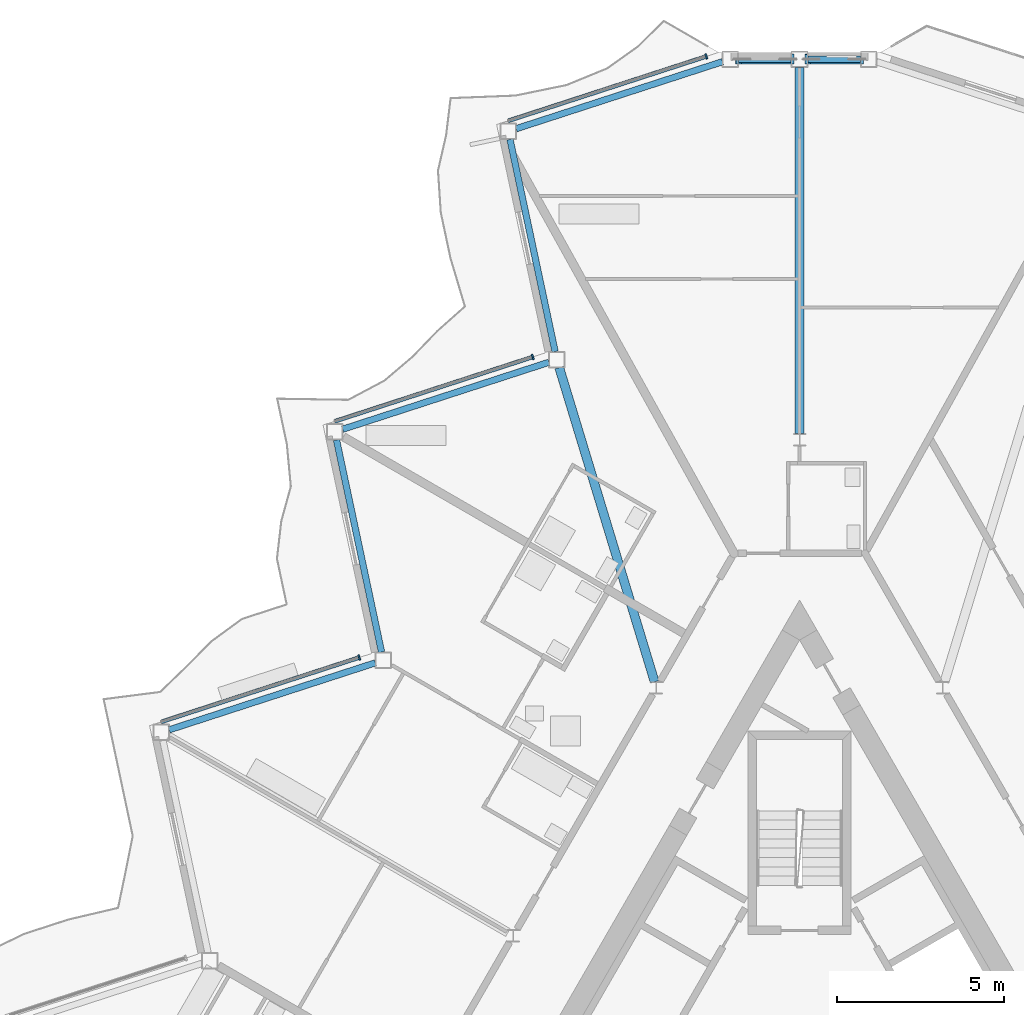
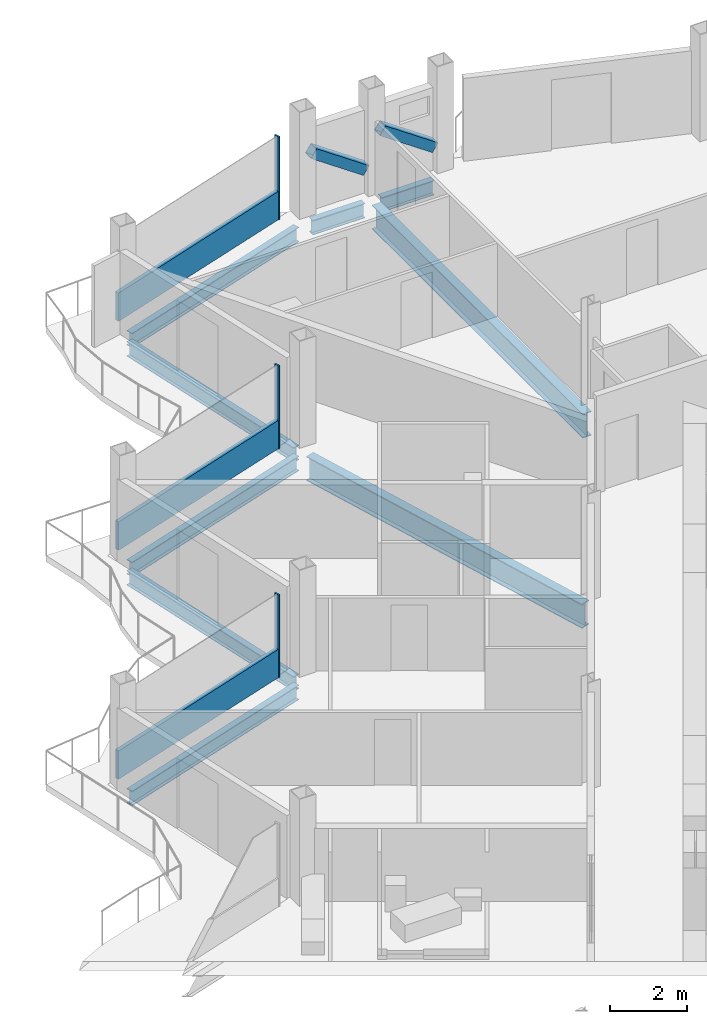
# One storey, part 9 of 26: 9 beams, 8 members, 3 elements without a shape of their own.
"""IFC4 building model written with IfcOpenShell, lengths in metres."""

from ifc_helpers import new_model, si_unit, direction, frame, origin, origin_2d, place, context, subcontext, project, spatial, rectangle, hollow_rectangle, i_section, extrude, material, layer, layer_set, material_profile, profile_set, type_object, element, aggregate, save


model = new_model("IFC4")

# Units and contexts
model_context = context("Model", 3, precision=1e-05, world=origin(), true_north=direction((0.0, 1.0)))
body_context = subcontext(model_context, "Body", "Model", "MODEL_VIEW")
ifc_project = project(units=[si_unit("LENGTHUNIT", "METRE"), si_unit("AREAUNIT", "SQUARE_METRE"), si_unit("VOLUMEUNIT", "CUBIC_METRE"), si_unit("PLANEANGLEUNIT", "RADIAN"), si_unit("MASSUNIT", "GRAM", prefix="KILO")], contexts=[model_context])

# Site, building, storey
site_placement = place(None, origin())
site = spatial("IfcSite", under=ifc_project, at=site_placement, CompositionType="ELEMENT")
building_placement = place(site_placement, origin())
building = spatial("IfcBuilding", under=site, at=building_placement, Name="Cormorant Prow Tower", CompositionType="ELEMENT")
storey_placement = place(building_placement, frame((0.0, 0.0, 381.39990234375)))
storey = spatial("IfcBuildingStorey", under=building, at=storey_placement, Name="L86", CompositionType="ELEMENT", Elevation=381.39990234375)

# Members
ifc_material_1 = material(Name="Structural steel ASTM A500 Gr C", Category="steel")
ifc_material_profile_1 = material_profile(ifc_material_1, hollow_rectangle(XDim=0.3046875, YDim=0.3046875, WallThickness=0.01171875, at=origin_2d()), Name="HSS12x12x1/2")
ifc_profile_set_1 = profile_set([ifc_material_profile_1], Name="Structural steel ASTM A500 Gr C")
member_type_1 = type_object("IfcMemberType", Name="Chamfer brace HSS12x12x1/2", PredefinedType="BRACE", material=ifc_profile_set_1)
for number, where, z_axis, x_axis, name in (
    (1, (1.8271484375, 31.219482421875, 0.770751953125), (-0.822567143358, 0.0, 0.56866800039), (0.0, -1.0, 0.0), "Chamfer brace BR3 at N00 L86"),
    (2, (-0.246826171875, 31.219482421875, 0.770751953125), (-0.822567143358, 0.0, 0.56866800039), (0.0, -1.0, 0.0), "Chamfer brace BR3 at N01 L86"),
):
    element("IfcMember", number, at=place(storey_placement, frame(where, z_axis=z_axis, x_axis=x_axis)), inside=storey, type_object=member_type_1, Name=name, PredefinedType="BRACE", context=body_context, shape_type="SweptSolid", body=[
        extrude(hollow_rectangle(XDim=0.3046875, YDim=0.3046875, WallThickness=0.01171875, at=origin_2d()), origin(), (0.0, 0.0, 1.0), 1.921142578125),
    ])

# Beams
ifc_material_2 = material(Name="Structural steel ASTM A992 Gr 50", Category="steel")
ifc_material_profile_2 = material_profile(ifc_material_2, i_section(OverallWidth=0.267822265625, OverallDepth=0.77001953125, WebThickness=0.015625, FlangeThickness=0.025390625, at=origin_2d()), Name="W30x132")
ifc_profile_set_2 = profile_set([ifc_material_profile_2], Name="Structural steel ASTM A992 Gr 50")
beam_type_1 = type_object("IfcBeamType", Name="Radial floor beam W30x132", PredefinedType="BEAM", material=ifc_profile_set_2)
beam_1_placement = place(storey_placement, frame((0.0, 19.998046875, -0.684814453125), z_axis=(0.0, 1.0, 0.0), x_axis=(-1.0, 0.0, 0.0)))
element("IfcBeam", 3, at=beam_1_placement, inside=storey, type_object=beam_type_1, Name="Radial floor beam FB3 1 L86", PredefinedType="BEAM", context=body_context, shape_type="SweptSolid", body=[
    extrude(i_section(OverallWidth=0.267822265625, OverallDepth=0.77001953125, WebThickness=0.015625, FlangeThickness=0.025390625, at=origin_2d()), origin(), (0.0, 0.0, 1.0), 10.971435546875),
])
beam_2_placement = place(storey_placement, frame((-4.343505859375, 12.560791015625, -0.684814453125), z_axis=(-0.290499864147, 0.956875033079, 0.0), x_axis=(-0.956875033079, -0.290499864147, 0.0)))
element("IfcBeam", 4, at=beam_2_placement, inside=storey, type_object=beam_type_1, Name="Radial floor beam FB3 2 L86", PredefinedType="BEAM", context=body_context, shape_type="SweptSolid", body=[
    extrude(i_section(OverallWidth=0.267822265625, OverallDepth=0.77001953125, WebThickness=0.015625, FlangeThickness=0.025390625, at=origin_2d()), origin(), (0.0, 0.0, 1.0), 9.837158203125),
])

# Curtain wall, member
ifc_material_3 = material(Name="Aluminium 6063-T6", Category="aluminium")
ifc_layer = layer(ifc_material_3, 0.159912109375)
ifc_layer_set = layer_set([ifc_layer], Name="Aluminium 6063-T6")
curtain_wall_type = type_object("IfcCurtainWallType", Name="Residential unitised curtain wall 160", PredefinedType="NOTDEFINED", material=ifc_layer_set)
curtain_wall_1_placement = place(storey_placement, origin())
curtain_wall_1 = element("IfcCurtainWall", 5, at=curtain_wall_1_placement, inside=storey, type_object=curtain_wall_type, Name="Residential curtain wall WNW00", PredefinedType="NOTDEFINED")
ifc_material_4 = material(Name="Aluminium 6063-T6", Category="aluminium")
ifc_material_profile_3 = material_profile(ifc_material_4, rectangle(XDim=0.159912109375, YDim=0.050048828125, at=origin_2d()), Name="Residential mullion 50x160")
ifc_profile_set_3 = profile_set([ifc_material_profile_3], Name="Aluminium 6063-T6")
member_type_2 = type_object("IfcMemberType", Name="Residential mullion 50x160", PredefinedType="MULLION", material=ifc_profile_set_3)
member_1_placement = place(storey_placement, frame((-2.79541015625, 31.30078125, 0.0), z_axis=(0.0, 0.0, 1.0), x_axis=(0.309017024369, -0.951056506549, 0.0)))
member_1 = element("IfcMember", 6, at=member_1_placement, type_object=member_type_2, Name="Residential mullion WNW00", PredefinedType="MULLION", context=body_context, shape_type="SweptSolid", body=[
    extrude(rectangle(XDim=0.159912109375, YDim=0.050048828125, at=origin_2d()), origin(), (0.0, 0.0, 1.0), 2.634033203125),
])

curtain_wall_2_placement = place(storey_placement, origin())
curtain_wall_2 = element("IfcCurtainWall", 7, at=curtain_wall_2_placement, inside=storey, type_object=curtain_wall_type, Name="Residential curtain wall WNW02", PredefinedType="NOTDEFINED")
member_2_placement = place(storey_placement, frame((-7.995361328125, 22.2939453125, 0.0), z_axis=(0.0, 0.0, 1.0), x_axis=(0.309017024369, -0.951056506549, 0.0)))
member_2 = element("IfcMember", 8, at=member_2_placement, type_object=member_type_2, Name="Residential mullion WNW02", PredefinedType="MULLION", context=body_context, shape_type="SweptSolid", body=[
    extrude(rectangle(XDim=0.159912109375, YDim=0.050048828125, at=origin_2d()), origin(), (0.0, 0.0, 1.0), 2.634033203125),
])

curtain_wall_3_placement = place(storey_placement, origin())
curtain_wall_3 = element("IfcCurtainWall", 9, at=curtain_wall_3_placement, inside=storey, type_object=curtain_wall_type, Name="Residential curtain wall WNW04", PredefinedType="NOTDEFINED")
member_3_placement = place(storey_placement, frame((-13.195556640625, 13.287353515625, 0.0), z_axis=(0.0, 0.0, 1.0), x_axis=(0.309016895096, -0.951056548553, 0.0)))
member_3 = element("IfcMember", 10, at=member_3_placement, type_object=member_type_2, Name="Residential mullion WNW04", PredefinedType="MULLION", context=body_context, shape_type="SweptSolid", body=[
    extrude(rectangle(XDim=0.159912109375, YDim=0.050048828125, at=origin_2d()), origin(), (0.0, 0.0, 1.0), 2.634033203125),
])

# Member
ifc_material_5 = material(Name="Terracotta", Category="masonry")
ifc_material_profile_4 = material_profile(ifc_material_5, rectangle(XDim=0.1201171875, YDim=0.89990234375, at=origin_2d()), Name="Residential terracotta spandrel rail 120x900")
ifc_profile_set_4 = profile_set([ifc_material_profile_4], Name="Terracotta")
member_type_3 = type_object("IfcMemberType", Name="Residential terracotta spandrel rail 120x900", PredefinedType="USERDEFINED", material=ifc_profile_set_4)
member_4_placement = place(storey_placement, frame((-2.8193359375, 31.29296875, 0.4501953125), z_axis=(-0.951056004715, -0.309018568854, 0.0), x_axis=(0.309018568854, -0.951056004715, 0.0)))
member_4 = element("IfcMember", 11, at=member_4_placement, type_object=member_type_3, Name="Residential spandrel rail WNW00", ObjectType="TRANSOM", PredefinedType="USERDEFINED", context=body_context, shape_type="SweptSolid", body=[
    extrude(rectangle(XDim=0.1201171875, YDim=0.89990234375, at=origin_2d()), origin(), (0.0, 0.0, 1.0), 6.21533203125),
])

aggregate(curtain_wall_1, [member_1, member_4])

member_5_placement = place(storey_placement, frame((-8.019287109375, 22.286376953125, 0.4501953125), z_axis=(-0.951056004715, -0.309018568854, 0.0), x_axis=(0.309018568854, -0.951056004715, 0.0)))
member_5 = element("IfcMember", 12, at=member_5_placement, type_object=member_type_3, Name="Residential spandrel rail WNW02", ObjectType="TRANSOM", PredefinedType="USERDEFINED", context=body_context, shape_type="SweptSolid", body=[
    extrude(rectangle(XDim=0.1201171875, YDim=0.89990234375, at=origin_2d()), origin(), (0.0, 0.0, 1.0), 6.21533203125),
])

aggregate(curtain_wall_2, [member_2, member_5])

member_6_placement = place(storey_placement, frame((-13.21923828125, 13.279541015625, 0.4501953125), z_axis=(-0.951056004715, -0.309018568854, 0.0), x_axis=(0.309018568854, -0.951056004715, 0.0)))
member_6 = element("IfcMember", 13, at=member_6_placement, type_object=member_type_3, Name="Residential spandrel rail WNW04", ObjectType="TRANSOM", PredefinedType="USERDEFINED", context=body_context, shape_type="SweptSolid", body=[
    extrude(rectangle(XDim=0.1201171875, YDim=0.89990234375, at=origin_2d()), origin(), (0.0, 0.0, 1.0), 6.21533203125),
])

aggregate(curtain_wall_3, [member_3, member_6])

# Beams
ifc_material_6 = material(Name="Structural steel ASTM A992 Gr 50", Category="steel")
ifc_material_profile_5 = material_profile(ifc_material_6, i_section(OverallWidth=0.19287109375, OverallDepth=0.466064453125, WebThickness=0.011474609375, FlangeThickness=0.01904296875, at=origin_2d()), Name="W18x65")
ifc_profile_set_5 = profile_set([ifc_material_profile_5], Name="Structural steel ASTM A992 Gr 50")
beam_type_2 = type_object("IfcBeamType", Name="Spandrel beam W18x65", PredefinedType="SPANDREL", material=ifc_profile_set_5)
for number, where, z_axis, x_axis, name in (
    (14, (1.82373046875, 31.219482421875, -0.532958984375), (-1.0, 0.0, 0.0), (0.0, -1.0, 0.0), "Spandrel beam SB4 N00-N01 L86"),
    (15, (-0.25, 31.219482421875, -0.532958984375), (-1.0, 0.0, 0.0), (0.0, -1.0, 0.0), "Spandrel beam SB4 N01-WNW00 L86"),
):
    element("IfcBeam", number, at=place(storey_placement, frame(where, z_axis=z_axis, x_axis=x_axis)), inside=storey, type_object=beam_type_2, Name=name, PredefinedType="SPANDREL", context=body_context, shape_type="SweptSolid", body=[
        extrude(i_section(OverallWidth=0.19287109375, OverallDepth=0.466064453125, WebThickness=0.011474609375, FlangeThickness=0.01904296875, at=origin_2d()), origin(), (0.0, 0.0, 1.0), 1.57373046875),
    ])
for number, where, z_axis, x_axis, name in (
    (16, (-2.3115234375, 31.142333984375, -0.532958984375), (-0.951056984862, -0.30901555227, 0.0), (0.30901555227, -0.951056984862, 0.0), "Spandrel beam SB4 WNW00-WNW01 L86"),
    (17, (-8.6767578125, 28.812744140625, -0.532958984375), (0.20793784774, -0.978142040543, 0.0), (0.978142040543, 0.20793784774, 0.0), "Spandrel beam SB4 WNW01-WNW02 L86"),
):
    element("IfcBeam", number, at=place(storey_placement, frame(where, z_axis=z_axis, x_axis=x_axis)), inside=storey, type_object=beam_type_2, Name=name, PredefinedType="SPANDREL", context=body_context, shape_type="SweptSolid", body=[
        extrude(i_section(OverallWidth=0.19287109375, OverallDepth=0.466064453125, WebThickness=0.011474609375, FlangeThickness=0.01904296875, at=origin_2d()), origin(), (0.0, 0.0, 1.0), 6.49755859375),
    ])
beam_3_placement = place(storey_placement, frame((-7.511474609375, 22.135498046875, -0.532958984375), z_axis=(-0.951068027308, -0.308981564875, 0.0), x_axis=(0.308981564875, -0.951068027308, 0.0)))
element("IfcBeam", 18, at=beam_3_placement, inside=storey, type_object=beam_type_2, Name="Spandrel beam SB4 WNW02-WNW03 L86", PredefinedType="SPANDREL", context=body_context, shape_type="SweptSolid", body=[
    extrude(i_section(OverallWidth=0.19287109375, OverallDepth=0.466064453125, WebThickness=0.011474609375, FlangeThickness=0.01904296875, at=origin_2d()), origin(), (0.0, 0.0, 1.0), 6.497314453125),
])
beam_4_placement = place(storey_placement, frame((-13.876708984375, 19.80615234375, -0.532958984375), z_axis=(0.207901897373, -0.978149682344, 0.0), x_axis=(0.978149682344, 0.207901897373, 0.0)))
element("IfcBeam", 19, at=beam_4_placement, inside=storey, type_object=beam_type_2, Name="Spandrel beam SB4 WNW03-WNW04 L86", PredefinedType="SPANDREL", context=body_context, shape_type="SweptSolid", body=[
    extrude(i_section(OverallWidth=0.19287109375, OverallDepth=0.466064453125, WebThickness=0.011474609375, FlangeThickness=0.01904296875, at=origin_2d()), origin(), (0.0, 0.0, 1.0), 6.49755859375),
])
beam_5_placement = place(storey_placement, frame((-12.711669921875, 13.12890625, -0.532958984375), z_axis=(-0.951053396625, -0.309026595569, 0.0), x_axis=(0.309026595569, -0.951053396625, 0.0)))
element("IfcBeam", 20, at=beam_5_placement, inside=storey, type_object=beam_type_2, Name="Spandrel beam SB4 WNW04-WNW05 L86", PredefinedType="SPANDREL", context=body_context, shape_type="SweptSolid", body=[
    extrude(i_section(OverallWidth=0.19287109375, OverallDepth=0.466064453125, WebThickness=0.011474609375, FlangeThickness=0.01904296875, at=origin_2d()), origin(), (0.0, 0.0, 1.0), 6.497314453125),
])

save(model, "model.ifc")
